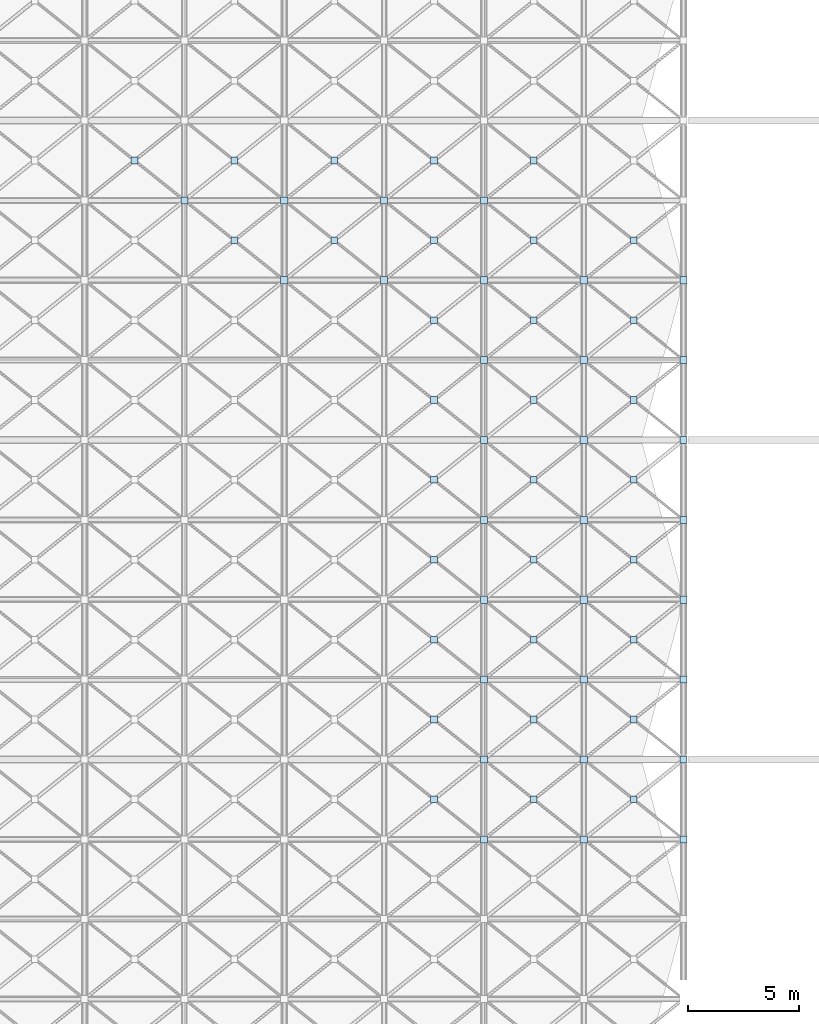
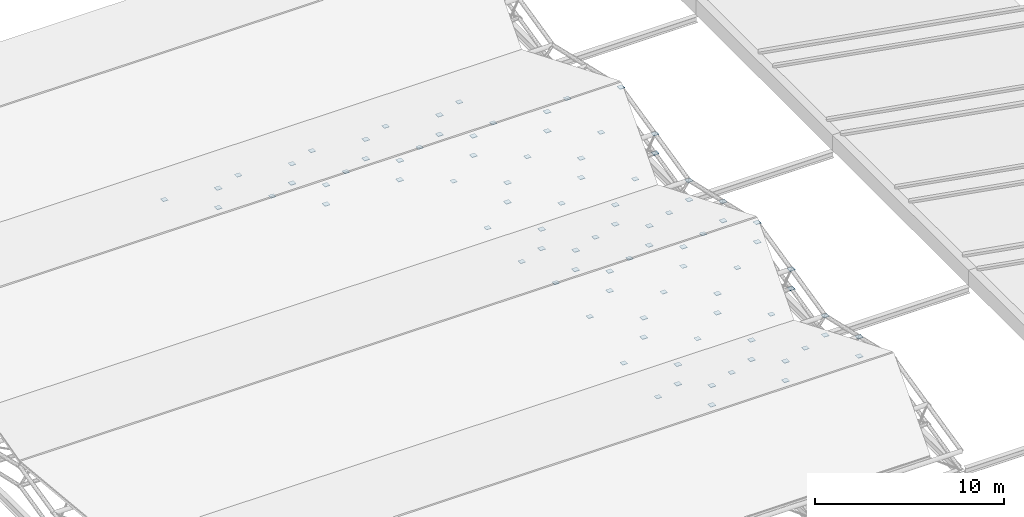
# One storey, part 78 of 110: 90 plates.
"""IFC4 building model written with IfcOpenShell, lengths in metres."""

from ifc_helpers import new_model, si_unit, direction, frame, origin, origin_2d, place, context, subcontext, project, spatial, rectangle, extrude, material, layer, layer_set, type_object, element, save


model = new_model("IFC4")

# Units and contexts
model_context = context("Model", 3, precision=1e-05, world=origin(), true_north=direction((0.0, 1.0)))
body_context = subcontext(model_context, "Body", "Model", "MODEL_VIEW")
ifc_project = project(units=[si_unit("LENGTHUNIT", "METRE"), si_unit("AREAUNIT", "SQUARE_METRE"), si_unit("VOLUMEUNIT", "CUBIC_METRE"), si_unit("PLANEANGLEUNIT", "RADIAN"), si_unit("MASSUNIT", "GRAM", prefix="KILO")], contexts=[model_context])

# Site, building, storey
site_placement = place(None, origin())
site = spatial("IfcSite", under=ifc_project, at=site_placement, CompositionType="ELEMENT")
building_placement = place(site_placement, origin())
building = spatial("IfcBuilding", under=site, at=building_placement, Name="Tamarisk Ironworks Central Station", CompositionType="ELEMENT")
storey_placement = place(building_placement, frame((0.0, 0.0, 17.39990234375)))
storey = spatial("IfcBuildingStorey", under=building, at=storey_placement, Name="L03", CompositionType="ELEMENT", Elevation=17.39990234375)

# Plates
ifc_material = material(Name="Structural steel S355J2H", Category="steel")
ifc_layer = layer(ifc_material, 0.02587890625)
ifc_layer_set = layer_set([ifc_layer], Name="Structural steel S355J2H")
plate_type = type_object("IfcPlateType", Name="PL-ND26", PredefinedType="SHEET", material=ifc_layer_set)
plate_1_placement = place(storey_placement, frame((36.0, 32.39990234375, 0.342041015625), z_axis=(0.0, 0.0, 1.0), x_axis=(1.0, 0.0, 0.0)))
element("IfcPlate", 1, at=plate_1_placement, inside=storey, type_object=plate_type, Name="Space-frame collector node plate 0097", PredefinedType="SHEET", context=body_context, shape_type="SweptSolid", body=[
    extrude(rectangle(XDim=0.320068359375, YDim=0.320068359375, at=origin_2d()), origin(), (0.0, 0.0, 1.0), 0.02587890625),
])
plate_2_placement = place(storey_placement, frame((33.75, 34.199951171875, -0.6953125), z_axis=(0.0, 0.0, 1.0), x_axis=(1.0, 0.0, 0.0)))
element("IfcPlate", 2, at=plate_2_placement, inside=storey, type_object=plate_type, Name="Space-frame X-brace crossing gusset plate 0098", PredefinedType="SHEET", context=body_context, shape_type="SweptSolid", body=[
    extrude(rectangle(XDim=0.300048828125, YDim=0.300048828125, at=origin_2d()), origin(), (0.0, 0.0, 1.0), 0.02587890625),
])
for number, where, z_axis, x_axis, name in (
    (3, (36.0, 32.39990234375, -0.907958984375), (0.0, 0.0, 1.0), (1.0, 0.0, 0.0), "Space-frame collector node plate 0099"),
    (4, (36.0, 36.0, -0.48291015625), (0.0, 0.0, 1.0), (1.0, 0.0, 0.0), "Space-frame collector node plate 0100"),
    (5, (40.5, 32.39990234375, 0.342041015625), (0.0, 0.0, 1.0), (1.0, 0.0, 0.0), "Space-frame collector node plate 0108"),
):
    element("IfcPlate", number, at=place(storey_placement, frame(where, z_axis=z_axis, x_axis=x_axis)), inside=storey, type_object=plate_type, Name=name, PredefinedType="SHEET", context=body_context, shape_type="SweptSolid", body=[
        extrude(rectangle(XDim=0.320068359375, YDim=0.320068359375, at=origin_2d()), origin(), (0.0, 0.0, 1.0), 0.02587890625),
    ])
plate_3_placement = place(storey_placement, frame((38.25, 34.199951171875, -0.6953125), z_axis=(0.0, 0.0, 1.0), x_axis=(1.0, 0.0, 0.0)))
element("IfcPlate", 6, at=plate_3_placement, inside=storey, type_object=plate_type, Name="Space-frame X-brace crossing gusset plate 0109", PredefinedType="SHEET", context=body_context, shape_type="SweptSolid", body=[
    extrude(rectangle(XDim=0.300048828125, YDim=0.300048828125, at=origin_2d()), origin(), (0.0, 0.0, 1.0), 0.02587890625),
])
for number, where, z_axis, x_axis, name in (
    (7, (40.5, 32.39990234375, -0.907958984375), (0.0, 0.0, 1.0), (1.0, 0.0, 0.0), "Space-frame collector node plate 0110"),
    (8, (40.5, 36.0, -0.48291015625), (0.0, 0.0, 1.0), (1.0, 0.0, 0.0), "Space-frame collector node plate 0111"),
    (9, (45.0, 32.39990234375, 0.342041015625), (0.0, 0.0, 1.0), (1.0, 0.0, 0.0), "Space-frame collector node plate 0120"),
):
    element("IfcPlate", number, at=place(storey_placement, frame(where, z_axis=z_axis, x_axis=x_axis)), inside=storey, type_object=plate_type, Name=name, PredefinedType="SHEET", context=body_context, shape_type="SweptSolid", body=[
        extrude(rectangle(XDim=0.320068359375, YDim=0.320068359375, at=origin_2d()), origin(), (0.0, 0.0, 1.0), 0.02587890625),
    ])
plate_4_placement = place(storey_placement, frame((42.75, 34.199951171875, -0.6953125), z_axis=(0.0, 0.0, 1.0), x_axis=(1.0, 0.0, 0.0)))
element("IfcPlate", 10, at=plate_4_placement, inside=storey, type_object=plate_type, Name="Space-frame X-brace crossing gusset plate 0121", PredefinedType="SHEET", context=body_context, shape_type="SweptSolid", body=[
    extrude(rectangle(XDim=0.300048828125, YDim=0.300048828125, at=origin_2d()), origin(), (0.0, 0.0, 1.0), 0.02587890625),
])
for number, where, z_axis, x_axis, name in (
    (11, (45.0, 32.39990234375, -0.907958984375), (0.0, 0.0, 1.0), (1.0, 0.0, 0.0), "Space-frame collector node plate 0122"),
    (12, (45.0, 36.0, -0.48291015625), (0.0, 0.0, 1.0), (1.0, 0.0, 0.0), "Space-frame collector node plate 0123"),
):
    element("IfcPlate", number, at=place(storey_placement, frame(where, z_axis=z_axis, x_axis=x_axis)), inside=storey, type_object=plate_type, Name=name, PredefinedType="SHEET", context=body_context, shape_type="SweptSolid", body=[
        extrude(rectangle(XDim=0.320068359375, YDim=0.320068359375, at=origin_2d()), origin(), (0.0, 0.0, 1.0), 0.02587890625),
    ])
plate_5_placement = place(storey_placement, frame((33.75, 37.800048828125, -0.6953125), z_axis=(0.0, 0.0, 1.0), x_axis=(1.0, 0.0, 0.0)))
element("IfcPlate", 13, at=plate_5_placement, inside=storey, type_object=plate_type, Name="Space-frame X-brace crossing gusset plate 0216", PredefinedType="SHEET", context=body_context, shape_type="SweptSolid", body=[
    extrude(rectangle(XDim=0.300048828125, YDim=0.300048828125, at=origin_2d()), origin(), (0.0, 0.0, 1.0), 0.02587890625),
])
for number, where, z_axis, x_axis, name in (
    (14, (36.0, 36.0, -1.73291015625), (0.0, 0.0, 1.0), (1.0, 0.0, 0.0), "Space-frame collector node plate 0217"),
    (15, (36.0, 39.60009765625, 0.342041015625), (0.0, 0.0, 1.0), (1.0, 0.0, 0.0), "Space-frame collector node plate 0218"),
):
    element("IfcPlate", number, at=place(storey_placement, frame(where, z_axis=z_axis, x_axis=x_axis)), inside=storey, type_object=plate_type, Name=name, PredefinedType="SHEET", context=body_context, shape_type="SweptSolid", body=[
        extrude(rectangle(XDim=0.320068359375, YDim=0.320068359375, at=origin_2d()), origin(), (0.0, 0.0, 1.0), 0.02587890625),
    ])
plate_6_placement = place(storey_placement, frame((33.75, 41.39990234375, 0.129638671875), z_axis=(0.0, 0.0, 1.0), x_axis=(1.0, 0.0, 0.0)))
element("IfcPlate", 16, at=plate_6_placement, inside=storey, type_object=plate_type, Name="Space-frame X-brace crossing gusset plate 0219", PredefinedType="SHEET", context=body_context, shape_type="SweptSolid", body=[
    extrude(rectangle(XDim=0.300048828125, YDim=0.300048828125, at=origin_2d()), origin(), (0.0, 0.0, 1.0), 0.02587890625),
])
for number, where, z_axis, x_axis, name in (
    (17, (36.0, 39.60009765625, -0.907958984375), (0.0, 0.0, 1.0), (1.0, 0.0, 0.0), "Space-frame collector node plate 0220"),
    (18, (36.0, 43.199951171875, 1.167236328125), (0.0, 0.0, 1.0), (1.0, 0.0, 0.0), "Space-frame collector node plate 0221"),
):
    element("IfcPlate", number, at=place(storey_placement, frame(where, z_axis=z_axis, x_axis=x_axis)), inside=storey, type_object=plate_type, Name=name, PredefinedType="SHEET", context=body_context, shape_type="SweptSolid", body=[
        extrude(rectangle(XDim=0.320068359375, YDim=0.320068359375, at=origin_2d()), origin(), (0.0, 0.0, 1.0), 0.02587890625),
    ])
plate_7_placement = place(storey_placement, frame((33.75, 45.0, 0.129638671875), z_axis=(0.0, 0.0, 1.0), x_axis=(1.0, 0.0, 0.0)))
element("IfcPlate", 19, at=plate_7_placement, inside=storey, type_object=plate_type, Name="Space-frame X-brace crossing gusset plate 0222", PredefinedType="SHEET", context=body_context, shape_type="SweptSolid", body=[
    extrude(rectangle(XDim=0.300048828125, YDim=0.300048828125, at=origin_2d()), origin(), (0.0, 0.0, 1.0), 0.02587890625),
])
for number, where, z_axis, x_axis, name in (
    (20, (36.0, 43.199951171875, -0.082763671875), (0.0, 0.0, 1.0), (1.0, 0.0, 0.0), "Space-frame collector node plate 0223"),
    (21, (36.0, 46.800048828125, 0.342041015625), (0.0, 0.0, 1.0), (1.0, 0.0, 0.0), "Space-frame collector node plate 0224"),
):
    element("IfcPlate", number, at=place(storey_placement, frame(where, z_axis=z_axis, x_axis=x_axis)), inside=storey, type_object=plate_type, Name=name, PredefinedType="SHEET", context=body_context, shape_type="SweptSolid", body=[
        extrude(rectangle(XDim=0.320068359375, YDim=0.320068359375, at=origin_2d()), origin(), (0.0, 0.0, 1.0), 0.02587890625),
    ])
plate_8_placement = place(storey_placement, frame((33.75, 48.60009765625, -0.6953125), z_axis=(0.0, 0.0, 1.0), x_axis=(1.0, 0.0, 0.0)))
element("IfcPlate", 22, at=plate_8_placement, inside=storey, type_object=plate_type, Name="Space-frame X-brace crossing gusset plate 0225", PredefinedType="SHEET", context=body_context, shape_type="SweptSolid", body=[
    extrude(rectangle(XDim=0.300048828125, YDim=0.300048828125, at=origin_2d()), origin(), (0.0, 0.0, 1.0), 0.02587890625),
])
for number, where, z_axis, x_axis, name in (
    (23, (36.0, 46.800048828125, -0.907958984375), (0.0, 0.0, 1.0), (1.0, 0.0, 0.0), "Space-frame collector node plate 0226"),
    (24, (36.0, 50.39990234375, -0.48291015625), (0.0, 0.0, 1.0), (1.0, 0.0, 0.0), "Space-frame collector node plate 0227"),
):
    element("IfcPlate", number, at=place(storey_placement, frame(where, z_axis=z_axis, x_axis=x_axis)), inside=storey, type_object=plate_type, Name=name, PredefinedType="SHEET", context=body_context, shape_type="SweptSolid", body=[
        extrude(rectangle(XDim=0.320068359375, YDim=0.320068359375, at=origin_2d()), origin(), (0.0, 0.0, 1.0), 0.02587890625),
    ])
plate_9_placement = place(storey_placement, frame((38.25, 37.800048828125, -0.6953125), z_axis=(0.0, 0.0, 1.0), x_axis=(1.0, 0.0, 0.0)))
element("IfcPlate", 25, at=plate_9_placement, inside=storey, type_object=plate_type, Name="Space-frame X-brace crossing gusset plate 0228", PredefinedType="SHEET", context=body_context, shape_type="SweptSolid", body=[
    extrude(rectangle(XDim=0.300048828125, YDim=0.300048828125, at=origin_2d()), origin(), (0.0, 0.0, 1.0), 0.02587890625),
])
for number, where, z_axis, x_axis, name in (
    (26, (40.5, 36.0, -1.73291015625), (0.0, 0.0, 1.0), (1.0, 0.0, 0.0), "Space-frame collector node plate 0229"),
    (27, (40.5, 39.60009765625, 0.342041015625), (0.0, 0.0, 1.0), (1.0, 0.0, 0.0), "Space-frame collector node plate 0230"),
):
    element("IfcPlate", number, at=place(storey_placement, frame(where, z_axis=z_axis, x_axis=x_axis)), inside=storey, type_object=plate_type, Name=name, PredefinedType="SHEET", context=body_context, shape_type="SweptSolid", body=[
        extrude(rectangle(XDim=0.320068359375, YDim=0.320068359375, at=origin_2d()), origin(), (0.0, 0.0, 1.0), 0.02587890625),
    ])
plate_10_placement = place(storey_placement, frame((38.25, 41.39990234375, 0.129638671875), z_axis=(0.0, 0.0, 1.0), x_axis=(1.0, 0.0, 0.0)))
element("IfcPlate", 28, at=plate_10_placement, inside=storey, type_object=plate_type, Name="Space-frame X-brace crossing gusset plate 0231", PredefinedType="SHEET", context=body_context, shape_type="SweptSolid", body=[
    extrude(rectangle(XDim=0.300048828125, YDim=0.300048828125, at=origin_2d()), origin(), (0.0, 0.0, 1.0), 0.02587890625),
])
for number, where, z_axis, x_axis, name in (
    (29, (40.5, 39.60009765625, -0.907958984375), (0.0, 0.0, 1.0), (1.0, 0.0, 0.0), "Space-frame collector node plate 0232"),
    (30, (40.5, 43.199951171875, 1.167236328125), (0.0, 0.0, 1.0), (1.0, 0.0, 0.0), "Space-frame collector node plate 0233"),
):
    element("IfcPlate", number, at=place(storey_placement, frame(where, z_axis=z_axis, x_axis=x_axis)), inside=storey, type_object=plate_type, Name=name, PredefinedType="SHEET", context=body_context, shape_type="SweptSolid", body=[
        extrude(rectangle(XDim=0.320068359375, YDim=0.320068359375, at=origin_2d()), origin(), (0.0, 0.0, 1.0), 0.02587890625),
    ])
plate_11_placement = place(storey_placement, frame((38.25, 45.0, 0.129638671875), z_axis=(0.0, 0.0, 1.0), x_axis=(1.0, 0.0, 0.0)))
element("IfcPlate", 31, at=plate_11_placement, inside=storey, type_object=plate_type, Name="Space-frame X-brace crossing gusset plate 0234", PredefinedType="SHEET", context=body_context, shape_type="SweptSolid", body=[
    extrude(rectangle(XDim=0.300048828125, YDim=0.300048828125, at=origin_2d()), origin(), (0.0, 0.0, 1.0), 0.02587890625),
])
for number, where, z_axis, x_axis, name in (
    (32, (40.5, 43.199951171875, -0.082763671875), (0.0, 0.0, 1.0), (1.0, 0.0, 0.0), "Space-frame collector node plate 0235"),
    (33, (40.5, 46.800048828125, 0.342041015625), (0.0, 0.0, 1.0), (1.0, 0.0, 0.0), "Space-frame collector node plate 0236"),
):
    element("IfcPlate", number, at=place(storey_placement, frame(where, z_axis=z_axis, x_axis=x_axis)), inside=storey, type_object=plate_type, Name=name, PredefinedType="SHEET", context=body_context, shape_type="SweptSolid", body=[
        extrude(rectangle(XDim=0.320068359375, YDim=0.320068359375, at=origin_2d()), origin(), (0.0, 0.0, 1.0), 0.02587890625),
    ])
plate_12_placement = place(storey_placement, frame((38.25, 48.60009765625, -0.6953125), z_axis=(0.0, 0.0, 1.0), x_axis=(1.0, 0.0, 0.0)))
element("IfcPlate", 34, at=plate_12_placement, inside=storey, type_object=plate_type, Name="Space-frame X-brace crossing gusset plate 0237", PredefinedType="SHEET", context=body_context, shape_type="SweptSolid", body=[
    extrude(rectangle(XDim=0.300048828125, YDim=0.300048828125, at=origin_2d()), origin(), (0.0, 0.0, 1.0), 0.02587890625),
])
for number, where, z_axis, x_axis, name in (
    (35, (40.5, 46.800048828125, -0.907958984375), (0.0, 0.0, 1.0), (1.0, 0.0, 0.0), "Space-frame collector node plate 0238"),
    (36, (40.5, 50.39990234375, -0.48291015625), (0.0, 0.0, 1.0), (1.0, 0.0, 0.0), "Space-frame collector node plate 0239"),
):
    element("IfcPlate", number, at=place(storey_placement, frame(where, z_axis=z_axis, x_axis=x_axis)), inside=storey, type_object=plate_type, Name=name, PredefinedType="SHEET", context=body_context, shape_type="SweptSolid", body=[
        extrude(rectangle(XDim=0.320068359375, YDim=0.320068359375, at=origin_2d()), origin(), (0.0, 0.0, 1.0), 0.02587890625),
    ])
plate_13_placement = place(storey_placement, frame((42.75, 37.800048828125, -0.6953125), z_axis=(0.0, 0.0, 1.0), x_axis=(1.0, 0.0, 0.0)))
element("IfcPlate", 37, at=plate_13_placement, inside=storey, type_object=plate_type, Name="Space-frame X-brace crossing gusset plate 0240", PredefinedType="SHEET", context=body_context, shape_type="SweptSolid", body=[
    extrude(rectangle(XDim=0.300048828125, YDim=0.300048828125, at=origin_2d()), origin(), (0.0, 0.0, 1.0), 0.02587890625),
])
for number, where, z_axis, x_axis, name in (
    (38, (45.0, 36.0, -1.73291015625), (0.0, 0.0, 1.0), (1.0, 0.0, 0.0), "Space-frame collector node plate 0241"),
    (39, (45.0, 39.60009765625, 0.342041015625), (0.0, 0.0, 1.0), (1.0, 0.0, 0.0), "Space-frame collector node plate 0242"),
):
    element("IfcPlate", number, at=place(storey_placement, frame(where, z_axis=z_axis, x_axis=x_axis)), inside=storey, type_object=plate_type, Name=name, PredefinedType="SHEET", context=body_context, shape_type="SweptSolid", body=[
        extrude(rectangle(XDim=0.320068359375, YDim=0.320068359375, at=origin_2d()), origin(), (0.0, 0.0, 1.0), 0.02587890625),
    ])
plate_14_placement = place(storey_placement, frame((42.75, 41.39990234375, 0.129638671875), z_axis=(0.0, 0.0, 1.0), x_axis=(1.0, 0.0, 0.0)))
element("IfcPlate", 40, at=plate_14_placement, inside=storey, type_object=plate_type, Name="Space-frame X-brace crossing gusset plate 0243", PredefinedType="SHEET", context=body_context, shape_type="SweptSolid", body=[
    extrude(rectangle(XDim=0.300048828125, YDim=0.300048828125, at=origin_2d()), origin(), (0.0, 0.0, 1.0), 0.02587890625),
])
for number, where, z_axis, x_axis, name in (
    (41, (45.0, 39.60009765625, -0.907958984375), (0.0, 0.0, 1.0), (1.0, 0.0, 0.0), "Space-frame collector node plate 0244"),
    (42, (45.0, 43.199951171875, 1.167236328125), (0.0, 0.0, 1.0), (1.0, 0.0, 0.0), "Space-frame collector node plate 0245"),
):
    element("IfcPlate", number, at=place(storey_placement, frame(where, z_axis=z_axis, x_axis=x_axis)), inside=storey, type_object=plate_type, Name=name, PredefinedType="SHEET", context=body_context, shape_type="SweptSolid", body=[
        extrude(rectangle(XDim=0.320068359375, YDim=0.320068359375, at=origin_2d()), origin(), (0.0, 0.0, 1.0), 0.02587890625),
    ])
plate_15_placement = place(storey_placement, frame((42.75, 45.0, 0.129638671875), z_axis=(0.0, 0.0, 1.0), x_axis=(1.0, 0.0, 0.0)))
element("IfcPlate", 43, at=plate_15_placement, inside=storey, type_object=plate_type, Name="Space-frame X-brace crossing gusset plate 0246", PredefinedType="SHEET", context=body_context, shape_type="SweptSolid", body=[
    extrude(rectangle(XDim=0.300048828125, YDim=0.300048828125, at=origin_2d()), origin(), (0.0, 0.0, 1.0), 0.02587890625),
])
for number, where, z_axis, x_axis, name in (
    (44, (45.0, 43.199951171875, -0.082763671875), (0.0, 0.0, 1.0), (1.0, 0.0, 0.0), "Space-frame collector node plate 0247"),
    (45, (45.0, 46.800048828125, 0.342041015625), (0.0, 0.0, 1.0), (1.0, 0.0, 0.0), "Space-frame collector node plate 0248"),
):
    element("IfcPlate", number, at=place(storey_placement, frame(where, z_axis=z_axis, x_axis=x_axis)), inside=storey, type_object=plate_type, Name=name, PredefinedType="SHEET", context=body_context, shape_type="SweptSolid", body=[
        extrude(rectangle(XDim=0.320068359375, YDim=0.320068359375, at=origin_2d()), origin(), (0.0, 0.0, 1.0), 0.02587890625),
    ])
plate_16_placement = place(storey_placement, frame((42.75, 48.60009765625, -0.6953125), z_axis=(0.0, 0.0, 1.0), x_axis=(1.0, 0.0, 0.0)))
element("IfcPlate", 46, at=plate_16_placement, inside=storey, type_object=plate_type, Name="Space-frame X-brace crossing gusset plate 0249", PredefinedType="SHEET", context=body_context, shape_type="SweptSolid", body=[
    extrude(rectangle(XDim=0.300048828125, YDim=0.300048828125, at=origin_2d()), origin(), (0.0, 0.0, 1.0), 0.02587890625),
])
for number, where, z_axis, x_axis, name in (
    (47, (45.0, 46.800048828125, -0.907958984375), (0.0, 0.0, 1.0), (1.0, 0.0, 0.0), "Space-frame collector node plate 0250"),
    (48, (45.0, 50.39990234375, -0.48291015625), (0.0, 0.0, 1.0), (1.0, 0.0, 0.0), "Space-frame collector node plate 0251"),
    (49, (22.5, 61.199951171875, 0.342041015625), (0.0, 0.0, 1.0), (1.0, 0.0, 0.0), "Space-frame collector node plate 0316"),
):
    element("IfcPlate", number, at=place(storey_placement, frame(where, z_axis=z_axis, x_axis=x_axis)), inside=storey, type_object=plate_type, Name=name, PredefinedType="SHEET", context=body_context, shape_type="SweptSolid", body=[
        extrude(rectangle(XDim=0.320068359375, YDim=0.320068359375, at=origin_2d()), origin(), (0.0, 0.0, 1.0), 0.02587890625),
    ])
plate_17_placement = place(storey_placement, frame((20.25, 63.0, -0.6953125), z_axis=(0.0, 0.0, 1.0), x_axis=(1.0, 0.0, 0.0)))
element("IfcPlate", 50, at=plate_17_placement, inside=storey, type_object=plate_type, Name="Space-frame X-brace crossing gusset plate 0317", PredefinedType="SHEET", context=body_context, shape_type="SweptSolid", body=[
    extrude(rectangle(XDim=0.300048828125, YDim=0.300048828125, at=origin_2d()), origin(), (0.0, 0.0, 1.0), 0.02587890625),
])
for number, where, z_axis, x_axis, name in (
    (51, (22.5, 61.199951171875, -0.907958984375), (0.0, 0.0, 1.0), (1.0, 0.0, 0.0), "Space-frame collector node plate 0318"),
    (52, (27.0, 57.60009765625, 1.167236328125), (0.0, 0.0, 1.0), (1.0, 0.0, 0.0), "Space-frame collector node plate 0325"),
):
    element("IfcPlate", number, at=place(storey_placement, frame(where, z_axis=z_axis, x_axis=x_axis)), inside=storey, type_object=plate_type, Name=name, PredefinedType="SHEET", context=body_context, shape_type="SweptSolid", body=[
        extrude(rectangle(XDim=0.320068359375, YDim=0.320068359375, at=origin_2d()), origin(), (0.0, 0.0, 1.0), 0.02587890625),
    ])
plate_18_placement = place(storey_placement, frame((24.75, 59.39990234375, 0.129638671875), z_axis=(0.0, 0.0, 1.0), x_axis=(1.0, 0.0, 0.0)))
element("IfcPlate", 53, at=plate_18_placement, inside=storey, type_object=plate_type, Name="Space-frame X-brace crossing gusset plate 0326", PredefinedType="SHEET", context=body_context, shape_type="SweptSolid", body=[
    extrude(rectangle(XDim=0.300048828125, YDim=0.300048828125, at=origin_2d()), origin(), (0.0, 0.0, 1.0), 0.02587890625),
])
for number, where, z_axis, x_axis, name in (
    (54, (27.0, 57.60009765625, -0.082763671875), (0.0, 0.0, 1.0), (1.0, 0.0, 0.0), "Space-frame collector node plate 0327"),
    (55, (27.0, 61.199951171875, 0.342041015625), (0.0, 0.0, 1.0), (1.0, 0.0, 0.0), "Space-frame collector node plate 0328"),
):
    element("IfcPlate", number, at=place(storey_placement, frame(where, z_axis=z_axis, x_axis=x_axis)), inside=storey, type_object=plate_type, Name=name, PredefinedType="SHEET", context=body_context, shape_type="SweptSolid", body=[
        extrude(rectangle(XDim=0.320068359375, YDim=0.320068359375, at=origin_2d()), origin(), (0.0, 0.0, 1.0), 0.02587890625),
    ])
plate_19_placement = place(storey_placement, frame((24.75, 63.0, -0.6953125), z_axis=(0.0, 0.0, 1.0), x_axis=(1.0, 0.0, 0.0)))
element("IfcPlate", 56, at=plate_19_placement, inside=storey, type_object=plate_type, Name="Space-frame X-brace crossing gusset plate 0329", PredefinedType="SHEET", context=body_context, shape_type="SweptSolid", body=[
    extrude(rectangle(XDim=0.300048828125, YDim=0.300048828125, at=origin_2d()), origin(), (0.0, 0.0, 1.0), 0.02587890625),
])
for number, where, z_axis, x_axis, name in (
    (57, (27.0, 61.199951171875, -0.907958984375), (0.0, 0.0, 1.0), (1.0, 0.0, 0.0), "Space-frame collector node plate 0330"),
    (58, (31.5, 57.60009765625, 1.167236328125), (0.0, 0.0, 1.0), (1.0, 0.0, 0.0), "Space-frame collector node plate 0337"),
):
    element("IfcPlate", number, at=place(storey_placement, frame(where, z_axis=z_axis, x_axis=x_axis)), inside=storey, type_object=plate_type, Name=name, PredefinedType="SHEET", context=body_context, shape_type="SweptSolid", body=[
        extrude(rectangle(XDim=0.320068359375, YDim=0.320068359375, at=origin_2d()), origin(), (0.0, 0.0, 1.0), 0.02587890625),
    ])
plate_20_placement = place(storey_placement, frame((29.25, 59.39990234375, 0.129638671875), z_axis=(0.0, 0.0, 1.0), x_axis=(1.0, 0.0, 0.0)))
element("IfcPlate", 59, at=plate_20_placement, inside=storey, type_object=plate_type, Name="Space-frame X-brace crossing gusset plate 0338", PredefinedType="SHEET", context=body_context, shape_type="SweptSolid", body=[
    extrude(rectangle(XDim=0.300048828125, YDim=0.300048828125, at=origin_2d()), origin(), (0.0, 0.0, 1.0), 0.02587890625),
])
for number, where, z_axis, x_axis, name in (
    (60, (31.5, 57.60009765625, -0.082763671875), (0.0, 0.0, 1.0), (1.0, 0.0, 0.0), "Space-frame collector node plate 0339"),
    (61, (31.5, 61.199951171875, 0.342041015625), (0.0, 0.0, 1.0), (1.0, 0.0, 0.0), "Space-frame collector node plate 0340"),
):
    element("IfcPlate", number, at=place(storey_placement, frame(where, z_axis=z_axis, x_axis=x_axis)), inside=storey, type_object=plate_type, Name=name, PredefinedType="SHEET", context=body_context, shape_type="SweptSolid", body=[
        extrude(rectangle(XDim=0.320068359375, YDim=0.320068359375, at=origin_2d()), origin(), (0.0, 0.0, 1.0), 0.02587890625),
    ])
plate_21_placement = place(storey_placement, frame((29.25, 63.0, -0.6953125), z_axis=(0.0, 0.0, 1.0), x_axis=(1.0, 0.0, 0.0)))
element("IfcPlate", 62, at=plate_21_placement, inside=storey, type_object=plate_type, Name="Space-frame X-brace crossing gusset plate 0341", PredefinedType="SHEET", context=body_context, shape_type="SweptSolid", body=[
    extrude(rectangle(XDim=0.300048828125, YDim=0.300048828125, at=origin_2d()), origin(), (0.0, 0.0, 1.0), 0.02587890625),
])
plate_22_placement = place(storey_placement, frame((31.5, 61.199951171875, -0.907958984375), z_axis=(0.0, 0.0, 1.0), x_axis=(1.0, 0.0, 0.0)))
element("IfcPlate", 63, at=plate_22_placement, inside=storey, type_object=plate_type, Name="Space-frame collector node plate 0342", PredefinedType="SHEET", context=body_context, shape_type="SweptSolid", body=[
    extrude(rectangle(XDim=0.320068359375, YDim=0.320068359375, at=origin_2d()), origin(), (0.0, 0.0, 1.0), 0.02587890625),
])
plate_23_placement = place(storey_placement, frame((33.75, 52.199951171875, -0.6953125), z_axis=(0.0, 0.0, 1.0), x_axis=(1.0, 0.0, 0.0)))
element("IfcPlate", 64, at=plate_23_placement, inside=storey, type_object=plate_type, Name="Space-frame X-brace crossing gusset plate 0344", PredefinedType="SHEET", context=body_context, shape_type="SweptSolid", body=[
    extrude(rectangle(XDim=0.300048828125, YDim=0.300048828125, at=origin_2d()), origin(), (0.0, 0.0, 1.0), 0.02587890625),
])
for number, where, z_axis, x_axis, name in (
    (65, (36.0, 50.39990234375, -1.73291015625), (0.0, 0.0, 1.0), (1.0, 0.0, 0.0), "Space-frame collector node plate 0345"),
    (66, (36.0, 54.0, 0.342041015625), (0.0, 0.0, 1.0), (1.0, 0.0, 0.0), "Space-frame collector node plate 0346"),
):
    element("IfcPlate", number, at=place(storey_placement, frame(where, z_axis=z_axis, x_axis=x_axis)), inside=storey, type_object=plate_type, Name=name, PredefinedType="SHEET", context=body_context, shape_type="SweptSolid", body=[
        extrude(rectangle(XDim=0.320068359375, YDim=0.320068359375, at=origin_2d()), origin(), (0.0, 0.0, 1.0), 0.02587890625),
    ])
plate_24_placement = place(storey_placement, frame((33.75, 55.800048828125, 0.129638671875), z_axis=(0.0, 0.0, 1.0), x_axis=(1.0, 0.0, 0.0)))
element("IfcPlate", 67, at=plate_24_placement, inside=storey, type_object=plate_type, Name="Space-frame X-brace crossing gusset plate 0347", PredefinedType="SHEET", context=body_context, shape_type="SweptSolid", body=[
    extrude(rectangle(XDim=0.300048828125, YDim=0.300048828125, at=origin_2d()), origin(), (0.0, 0.0, 1.0), 0.02587890625),
])
for number, where, z_axis, x_axis, name in (
    (68, (36.0, 54.0, -0.907958984375), (0.0, 0.0, 1.0), (1.0, 0.0, 0.0), "Space-frame collector node plate 0348"),
    (69, (36.0, 57.60009765625, 1.167236328125), (0.0, 0.0, 1.0), (1.0, 0.0, 0.0), "Space-frame collector node plate 0349"),
):
    element("IfcPlate", number, at=place(storey_placement, frame(where, z_axis=z_axis, x_axis=x_axis)), inside=storey, type_object=plate_type, Name=name, PredefinedType="SHEET", context=body_context, shape_type="SweptSolid", body=[
        extrude(rectangle(XDim=0.320068359375, YDim=0.320068359375, at=origin_2d()), origin(), (0.0, 0.0, 1.0), 0.02587890625),
    ])
plate_25_placement = place(storey_placement, frame((33.75, 59.39990234375, 0.129638671875), z_axis=(0.0, 0.0, 1.0), x_axis=(1.0, 0.0, 0.0)))
element("IfcPlate", 70, at=plate_25_placement, inside=storey, type_object=plate_type, Name="Space-frame X-brace crossing gusset plate 0350", PredefinedType="SHEET", context=body_context, shape_type="SweptSolid", body=[
    extrude(rectangle(XDim=0.300048828125, YDim=0.300048828125, at=origin_2d()), origin(), (0.0, 0.0, 1.0), 0.02587890625),
])
for number, where, z_axis, x_axis, name in (
    (71, (36.0, 57.60009765625, -0.082763671875), (0.0, 0.0, 1.0), (1.0, 0.0, 0.0), "Space-frame collector node plate 0351"),
    (72, (36.0, 61.199951171875, 0.342041015625), (0.0, 0.0, 1.0), (1.0, 0.0, 0.0), "Space-frame collector node plate 0352"),
):
    element("IfcPlate", number, at=place(storey_placement, frame(where, z_axis=z_axis, x_axis=x_axis)), inside=storey, type_object=plate_type, Name=name, PredefinedType="SHEET", context=body_context, shape_type="SweptSolid", body=[
        extrude(rectangle(XDim=0.320068359375, YDim=0.320068359375, at=origin_2d()), origin(), (0.0, 0.0, 1.0), 0.02587890625),
    ])
plate_26_placement = place(storey_placement, frame((33.75, 63.0, -0.6953125), z_axis=(0.0, 0.0, 1.0), x_axis=(1.0, 0.0, 0.0)))
element("IfcPlate", 73, at=plate_26_placement, inside=storey, type_object=plate_type, Name="Space-frame X-brace crossing gusset plate 0353", PredefinedType="SHEET", context=body_context, shape_type="SweptSolid", body=[
    extrude(rectangle(XDim=0.300048828125, YDim=0.300048828125, at=origin_2d()), origin(), (0.0, 0.0, 1.0), 0.02587890625),
])
plate_27_placement = place(storey_placement, frame((36.0, 61.199951171875, -0.907958984375), z_axis=(0.0, 0.0, 1.0), x_axis=(1.0, 0.0, 0.0)))
element("IfcPlate", 74, at=plate_27_placement, inside=storey, type_object=plate_type, Name="Space-frame collector node plate 0354", PredefinedType="SHEET", context=body_context, shape_type="SweptSolid", body=[
    extrude(rectangle(XDim=0.320068359375, YDim=0.320068359375, at=origin_2d()), origin(), (0.0, 0.0, 1.0), 0.02587890625),
])
plate_28_placement = place(storey_placement, frame((38.25, 52.199951171875, -0.6953125), z_axis=(0.0, 0.0, 1.0), x_axis=(1.0, 0.0, 0.0)))
element("IfcPlate", 75, at=plate_28_placement, inside=storey, type_object=plate_type, Name="Space-frame X-brace crossing gusset plate 0356", PredefinedType="SHEET", context=body_context, shape_type="SweptSolid", body=[
    extrude(rectangle(XDim=0.300048828125, YDim=0.300048828125, at=origin_2d()), origin(), (0.0, 0.0, 1.0), 0.02587890625),
])
for number, where, z_axis, x_axis, name in (
    (76, (40.5, 50.39990234375, -1.73291015625), (0.0, 0.0, 1.0), (1.0, 0.0, 0.0), "Space-frame collector node plate 0357"),
    (77, (40.5, 54.0, 0.342041015625), (0.0, 0.0, 1.0), (1.0, 0.0, 0.0), "Space-frame collector node plate 0358"),
):
    element("IfcPlate", number, at=place(storey_placement, frame(where, z_axis=z_axis, x_axis=x_axis)), inside=storey, type_object=plate_type, Name=name, PredefinedType="SHEET", context=body_context, shape_type="SweptSolid", body=[
        extrude(rectangle(XDim=0.320068359375, YDim=0.320068359375, at=origin_2d()), origin(), (0.0, 0.0, 1.0), 0.02587890625),
    ])
plate_29_placement = place(storey_placement, frame((38.25, 55.800048828125, 0.129638671875), z_axis=(0.0, 0.0, 1.0), x_axis=(1.0, 0.0, 0.0)))
element("IfcPlate", 78, at=plate_29_placement, inside=storey, type_object=plate_type, Name="Space-frame X-brace crossing gusset plate 0359", PredefinedType="SHEET", context=body_context, shape_type="SweptSolid", body=[
    extrude(rectangle(XDim=0.300048828125, YDim=0.300048828125, at=origin_2d()), origin(), (0.0, 0.0, 1.0), 0.02587890625),
])
for number, where, z_axis, x_axis, name in (
    (79, (40.5, 54.0, -0.907958984375), (0.0, 0.0, 1.0), (1.0, 0.0, 0.0), "Space-frame collector node plate 0360"),
    (80, (40.5, 57.60009765625, 1.167236328125), (0.0, 0.0, 1.0), (1.0, 0.0, 0.0), "Space-frame collector node plate 0361"),
):
    element("IfcPlate", number, at=place(storey_placement, frame(where, z_axis=z_axis, x_axis=x_axis)), inside=storey, type_object=plate_type, Name=name, PredefinedType="SHEET", context=body_context, shape_type="SweptSolid", body=[
        extrude(rectangle(XDim=0.320068359375, YDim=0.320068359375, at=origin_2d()), origin(), (0.0, 0.0, 1.0), 0.02587890625),
    ])
plate_30_placement = place(storey_placement, frame((38.25, 59.39990234375, 0.129638671875), z_axis=(0.0, 0.0, 1.0), x_axis=(1.0, 0.0, 0.0)))
element("IfcPlate", 81, at=plate_30_placement, inside=storey, type_object=plate_type, Name="Space-frame X-brace crossing gusset plate 0362", PredefinedType="SHEET", context=body_context, shape_type="SweptSolid", body=[
    extrude(rectangle(XDim=0.300048828125, YDim=0.300048828125, at=origin_2d()), origin(), (0.0, 0.0, 1.0), 0.02587890625),
])
plate_31_placement = place(storey_placement, frame((40.5, 57.60009765625, -0.082763671875), z_axis=(0.0, 0.0, 1.0), x_axis=(1.0, 0.0, 0.0)))
element("IfcPlate", 82, at=plate_31_placement, inside=storey, type_object=plate_type, Name="Space-frame collector node plate 0363", PredefinedType="SHEET", context=body_context, shape_type="SweptSolid", body=[
    extrude(rectangle(XDim=0.320068359375, YDim=0.320068359375, at=origin_2d()), origin(), (0.0, 0.0, 1.0), 0.02587890625),
])
for number, where, z_axis, x_axis, name in (
    (83, (38.25, 63.0, -0.6953125), (0.0, 0.0, 1.0), (1.0, 0.0, 0.0), "Space-frame X-brace crossing gusset plate 0365"),
    (84, (42.75, 52.199951171875, -0.6953125), (0.0, 0.0, 1.0), (1.0, 0.0, 0.0), "Space-frame X-brace crossing gusset plate 0368"),
):
    element("IfcPlate", number, at=place(storey_placement, frame(where, z_axis=z_axis, x_axis=x_axis)), inside=storey, type_object=plate_type, Name=name, PredefinedType="SHEET", context=body_context, shape_type="SweptSolid", body=[
        extrude(rectangle(XDim=0.300048828125, YDim=0.300048828125, at=origin_2d()), origin(), (0.0, 0.0, 1.0), 0.02587890625),
    ])
for number, where, z_axis, x_axis, name in (
    (85, (45.0, 50.39990234375, -1.73291015625), (0.0, 0.0, 1.0), (1.0, 0.0, 0.0), "Space-frame collector node plate 0369"),
    (86, (45.0, 54.0, 0.342041015625), (0.0, 0.0, 1.0), (1.0, 0.0, 0.0), "Space-frame collector node plate 0370"),
):
    element("IfcPlate", number, at=place(storey_placement, frame(where, z_axis=z_axis, x_axis=x_axis)), inside=storey, type_object=plate_type, Name=name, PredefinedType="SHEET", context=body_context, shape_type="SweptSolid", body=[
        extrude(rectangle(XDim=0.320068359375, YDim=0.320068359375, at=origin_2d()), origin(), (0.0, 0.0, 1.0), 0.02587890625),
    ])
plate_32_placement = place(storey_placement, frame((42.75, 55.800048828125, 0.129638671875), z_axis=(0.0, 0.0, 1.0), x_axis=(1.0, 0.0, 0.0)))
element("IfcPlate", 87, at=plate_32_placement, inside=storey, type_object=plate_type, Name="Space-frame X-brace crossing gusset plate 0371", PredefinedType="SHEET", context=body_context, shape_type="SweptSolid", body=[
    extrude(rectangle(XDim=0.300048828125, YDim=0.300048828125, at=origin_2d()), origin(), (0.0, 0.0, 1.0), 0.02587890625),
])
for number, where, z_axis, x_axis, name in (
    (88, (45.0, 54.0, -0.907958984375), (0.0, 0.0, 1.0), (1.0, 0.0, 0.0), "Space-frame collector node plate 0372"),
    (89, (45.0, 57.60009765625, 1.167236328125), (0.0, 0.0, 1.0), (1.0, 0.0, 0.0), "Space-frame collector node plate 0373"),
):
    element("IfcPlate", number, at=place(storey_placement, frame(where, z_axis=z_axis, x_axis=x_axis)), inside=storey, type_object=plate_type, Name=name, PredefinedType="SHEET", context=body_context, shape_type="SweptSolid", body=[
        extrude(rectangle(XDim=0.320068359375, YDim=0.320068359375, at=origin_2d()), origin(), (0.0, 0.0, 1.0), 0.02587890625),
    ])
plate_33_placement = place(storey_placement, frame((42.75, 59.39990234375, 0.129638671875), z_axis=(0.0, 0.0, 1.0), x_axis=(1.0, 0.0, 0.0)))
element("IfcPlate", 90, at=plate_33_placement, inside=storey, type_object=plate_type, Name="Space-frame X-brace crossing gusset plate 0374", PredefinedType="SHEET", context=body_context, shape_type="SweptSolid", body=[
    extrude(rectangle(XDim=0.300048828125, YDim=0.300048828125, at=origin_2d()), origin(), (0.0, 0.0, 1.0), 0.02587890625),
])

save(model, "model.ifc")
